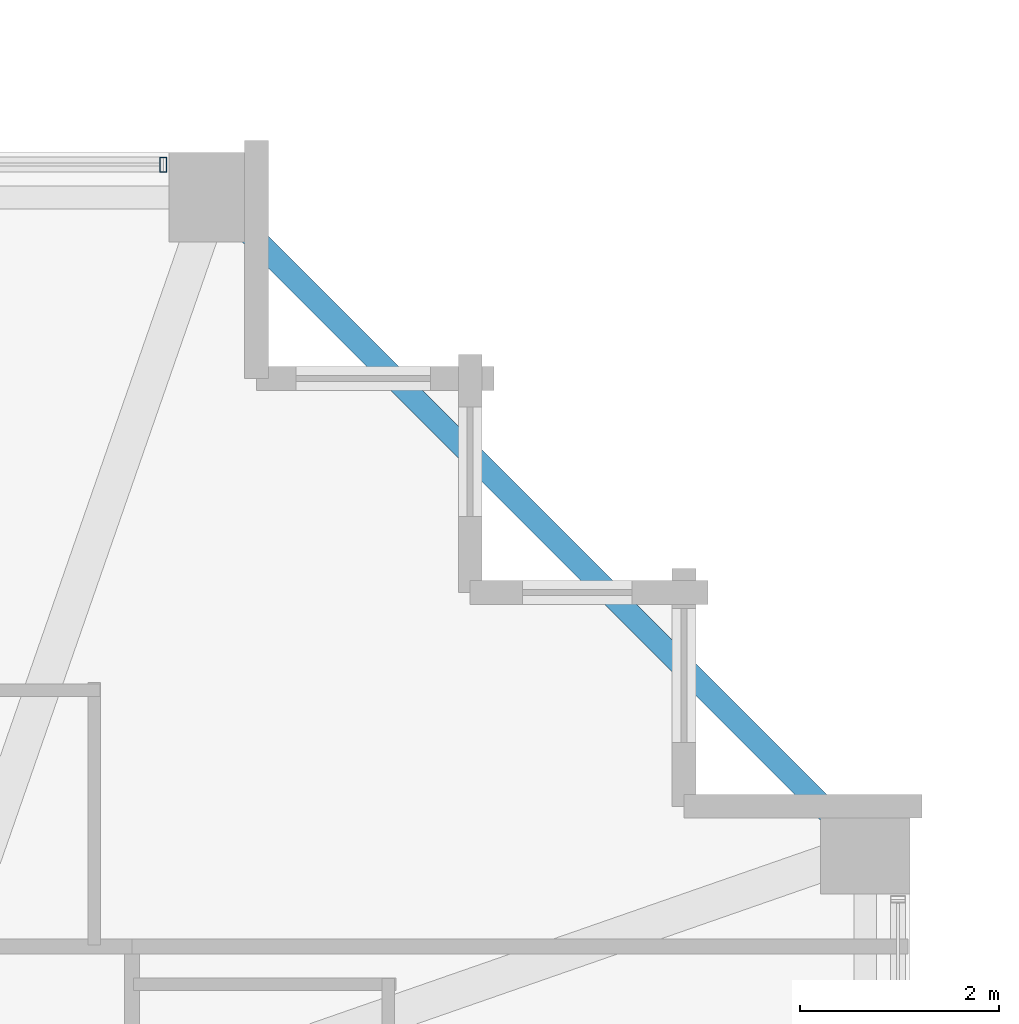
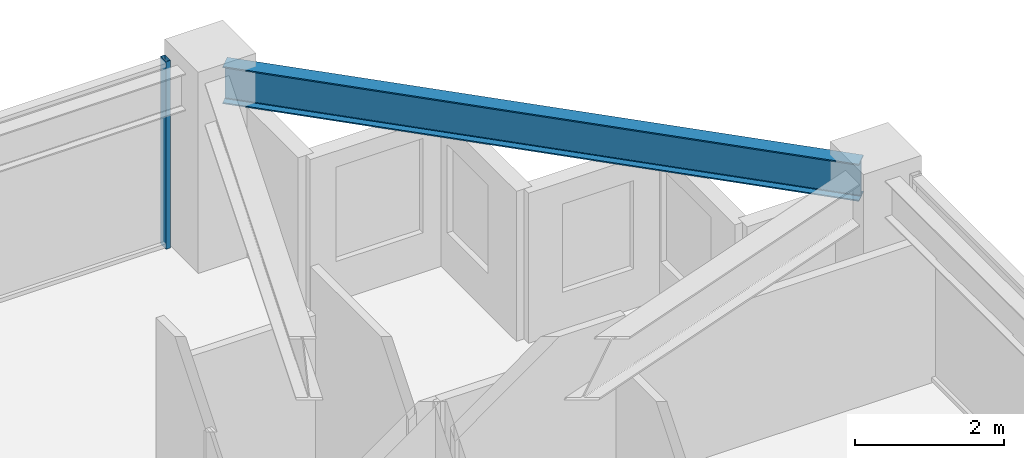
# One storey, part 24 of 37: 1 beam, 1 member, 1 element without a shape of its own.
"""IFC4 building model written with IfcOpenShell, lengths in metres."""

import ifcopenshell
import ifcopenshell.guid

model = None  # the IFC model being written
_history = None  # IfcOwnerHistory: only IFC2X3 demands one
_inside = {}  # id of a spatial element -> (the spatial element, [elements in it])
_under = {}  # id of a project, library or spatial element -> (it, [spatial elements below it])
_declared = {}  # id of a project -> (the project, [libraries it declares])
_typed = {}  # id of a type object -> (the type object, [elements of that type])
_made_of = {}  # id of a material, layer set ... -> (it, [elements and type objects made of it])


def new_model(schema):
    """Start an empty IFC model of exactly this schema.

    Asked for "IFC4X3", IfcOpenShell would pick the latest addendum, in which some entities
    have other attributes; the version numbers below select the first issue.
    IFC2X3 requires an IfcOwnerHistory on every rooted entity: one is made here for all.
    """
    global model, _history
    if schema == "IFC4X3":
        model = ifcopenshell.file(schema_version=(4, 3, 0, 0))
    else:
        model = ifcopenshell.file(schema=schema)
    _inside.clear()
    _under.clear()
    _declared.clear()
    _typed.clear()
    _made_of.clear()
    _history = None
    if model.schema == "IFC2X3":
        org = make("IfcOrganization", Name="unknown")
        user = make(
            "IfcPersonAndOrganization",
            ThePerson=make("IfcPerson", FamilyName="unknown"),
            TheOrganization=org,
        )
        app = make(
            "IfcApplication",
            ApplicationDeveloper=org,
            Version="unknown",
            ApplicationFullName="unknown",
            ApplicationIdentifier="unknown",
        )
        _history = make(
            "IfcOwnerHistory",
            OwningUser=user,
            OwningApplication=app,
            ChangeAction="ADDED",
            CreationDate=0,
        )
    return model


def make(cls, **values):
    """One entity of the class cls with the attributes given. An attribute that is None is left unset."""
    return model.create_entity(
        cls, **{name: value for name, value in values.items() if value is not None}
    )


def rooted(cls, **values):
    """An entity with a GlobalId (a new one), such as an element, a storey or a relation."""
    return make(cls, GlobalId=ifcopenshell.guid.new(), OwnerHistory=_history, **values)


def si_unit(unit_type, name, prefix=None):
    """IfcSIUnit, for example si_unit("LENGTHUNIT", "METRE", prefix="MILLI")."""
    return make("IfcSIUnit", UnitType=unit_type, Prefix=prefix, Name=name)


def assignment(units):
    """IfcUnitAssignment: the units of a project."""
    return None if units is None else make("IfcUnitAssignment", Units=units)


def point(xyz):
    """IfcCartesianPoint."""
    return None if xyz is None else make("IfcCartesianPoint", Coordinates=xyz)


def direction(xyz):
    """IfcDirection."""
    return None if xyz is None else make("IfcDirection", DirectionRatios=xyz)


def frame(location, z_axis=None, x_axis=None):
    """IfcAxis2Placement3D, a coordinate frame: its origin and axes. An axis left out is left unset."""
    return make(
        "IfcAxis2Placement3D",
        Location=point(location),
        Axis=direction(z_axis),
        RefDirection=direction(x_axis),
    )


def frame_2d(location, x_axis=None):
    """IfcAxis2Placement2D, a coordinate frame in the plane: its origin and x axis."""
    return make(
        "IfcAxis2Placement2D", Location=point(location), RefDirection=direction(x_axis)
    )


def origin():
    """The frame at (0, 0, 0) with its axes left unset."""
    return frame((0.0, 0.0, 0.0))


def origin_2d():
    """The frame at (0, 0) in the plane with its x axis left unset."""
    return frame_2d((0.0, 0.0))


def place(relative_to, where):
    """IfcLocalPlacement: puts the frame where relative to a parent placement (None: the world)."""
    return make(
        "IfcLocalPlacement", PlacementRelTo=relative_to, RelativePlacement=where
    )


def context(
    kind, dimensions, precision=None, world=None, true_north=None, identifier=None
):
    """IfcGeometricRepresentationContext, for example the 3D "Model" context."""
    return make(
        "IfcGeometricRepresentationContext",
        ContextIdentifier=identifier,
        ContextType=kind,
        CoordinateSpaceDimension=dimensions,
        Precision=precision,
        WorldCoordinateSystem=world,
        TrueNorth=true_north,
    )


def subcontext(parent, identifier, kind, view, scale=None):
    """IfcGeometricRepresentationSubContext, for example "Body" below "Model"."""
    return make(
        "IfcGeometricRepresentationSubContext",
        ContextIdentifier=identifier,
        ContextType=kind,
        ParentContext=parent,
        TargetScale=scale,
        TargetView=view,
    )


def project(units=None, contexts=None):
    """IfcProject with its units and contexts."""
    return rooted(
        "IfcProject",
        Name="project",
        RepresentationContexts=contexts,
        UnitsInContext=assignment(units),
    )


def spatial(cls, under=None, at=None, **own):
    """A site, building, storey or space (cls), placed at a placement, below another one or the project."""
    s = rooted(cls, ObjectPlacement=at, **own)
    if under is not None:
        _under.setdefault(under.id(), (under, []))[1].append(s)
    return s


def profile(cls, at=None, kind="AREA", **sizes):
    """A parametric profile (cls). Its sizes go by their IFC names, for example OverallWidth=200.0."""
    return make(cls, ProfileType=kind, Position=at, **sizes)


def hollow_rectangle(**sizes):
    """IfcRectangleHollowProfileDef."""
    return profile("IfcRectangleHollowProfileDef", **sizes)


def i_section(**sizes):
    """IfcIShapeProfileDef."""
    return profile("IfcIShapeProfileDef", **sizes)


def extrude(swept, where, along, depth):
    """IfcExtrudedAreaSolid: the profile swept, set in the frame where, extruded along a direction by depth."""
    return make(
        "IfcExtrudedAreaSolid",
        SweptArea=swept,
        Position=where,
        ExtrudedDirection=direction(along),
        Depth=depth,
    )


def shape(context_of_items, identifier, shape_type, items):
    """IfcShapeRepresentation: the items that make up one representation, for example the "Body"."""
    return make(
        "IfcShapeRepresentation",
        ContextOfItems=context_of_items,
        RepresentationIdentifier=identifier,
        RepresentationType=shape_type,
        Items=items,
    )


def material(Name=None, Category=None):
    """IfcMaterial."""
    return make("IfcMaterial", Name=Name, Category=Category)


def material_profile(
    of_material, cross_section, Name=None, Category=None, Priority=None
):
    """IfcMaterialProfile: a cross section and its material."""
    return make(
        "IfcMaterialProfile",
        Name=Name,
        Material=of_material,
        Profile=cross_section,
        Priority=Priority,
        Category=Category,
    )


def profile_set(profiles, Name=None, composite=None):
    """IfcMaterialProfileSet."""
    return make(
        "IfcMaterialProfileSet",
        Name=Name,
        MaterialProfiles=profiles,
        CompositeProfile=composite,
    )


def made_of(thing, what):
    """Note that an element or type object is made of a material, layer set ...; save() writes the relation."""
    if what is not None:
        _made_of.setdefault(what.id(), (what, []))[1].append(thing)
    return thing


def type_object(cls, material=None, **own):
    """A type object (cls), such as IfcWallType, which elements share."""
    return made_of(rooted(cls, **own), material)


def element(
    cls,
    number,
    at=None,
    inside=None,
    cuts=None,
    type_object=None,
    material=None,
    context=None,
    identifier="Body",
    shape_type=None,
    held_by="IfcProductDefinitionShape",
    body=None,
    shapes=None,
    **own,
):
    """One element of the class cls, such as IfcWall. Its Tag is "e" and its number.

    at: its placement. inside: the storey or other place that contains it. cuts: it is an
    opening in that element (IfcRelVoidsElement). A single representation is given by context,
    identifier, shape_type and body (its items); several are given by shapes. held_by: the class
    of the entity that holds the representations. save() writes the other relations.
    """
    e = rooted(cls, Tag="e%d" % number, ObjectPlacement=at, **own)
    if body is not None:
        shapes = [shape(context, identifier, shape_type, body)]
    if shapes is not None:
        e.Representation = make(held_by, Representations=shapes)
    if inside is not None:
        _inside.setdefault(inside.id(), (inside, []))[1].append(e)
    if cuts is not None:
        rooted(
            "IfcRelVoidsElement", RelatingBuildingElement=cuts, RelatedOpeningElement=e
        )
    if type_object is not None:
        _typed.setdefault(type_object.id(), (type_object, []))[1].append(e)
    return made_of(e, material)


def aggregate(whole, parts):
    """IfcRelAggregates: a whole, such as a stair, and the parts it consists of."""
    return rooted("IfcRelAggregates", RelatingObject=whole, RelatedObjects=parts)


def save(model, path):
    """Write the relations noted so far, then the file.

    IfcRelAggregates (storeys below a building ...), IfcRelContainedInSpatialStructure (elements
    in a storey), IfcRelDefinesByType, IfcRelAssociatesMaterial and IfcRelDeclares: one each for
    every whole, place, type object, material and project.
    """
    for whole, parts in _under.values():
        aggregate(whole, parts)
    for where, things in _inside.values():
        rooted(
            "IfcRelContainedInSpatialStructure",
            RelatedElements=things,
            RelatingStructure=where,
        )
    for kind, things in _typed.values():
        rooted("IfcRelDefinesByType", RelatedObjects=things, RelatingType=kind)
    for what, things in _made_of.values():
        rooted("IfcRelAssociatesMaterial", RelatedObjects=things, RelatingMaterial=what)
    for by, libraries in _declared.values():
        rooted("IfcRelDeclares", RelatingContext=by, RelatedDefinitions=libraries)
    model.write(path)


model = new_model("IFC4")

# Units and contexts
model_context = context("Model", 3, precision=1e-05, world=origin(), true_north=direction((0.0, 1.0)))
body_context = subcontext(model_context, "Body", "Model", "MODEL_VIEW")
ifc_project = project(units=[si_unit("LENGTHUNIT", "METRE"), si_unit("AREAUNIT", "SQUARE_METRE"), si_unit("VOLUMEUNIT", "CUBIC_METRE"), si_unit("PLANEANGLEUNIT", "RADIAN"), si_unit("MASSUNIT", "GRAM", prefix="KILO")], contexts=[model_context])

# Site, building, storey
site_placement = place(None, origin())
site = spatial("IfcSite", under=ifc_project, at=site_placement, CompositionType="ELEMENT")
building_placement = place(site_placement, origin())
building = spatial("IfcBuilding", under=site, at=building_placement, Name="Kolvaren Belvedere", CompositionType="ELEMENT")
storey_placement = place(building_placement, frame((0.0, 0.0, 180.0)))
storey = spatial("IfcBuildingStorey", under=building, at=storey_placement, Name="L52", CompositionType="ELEMENT", Elevation=180.0)

# Beam
ifc_material_1 = material(Name="Structural steel ASTM A992 Grade 50", Category="steel")
ifc_material_profile_1 = material_profile(ifc_material_1, i_section(OverallWidth=0.22900390625, OverallDepth=0.612060546875, WebThickness=0.011962890625, FlangeThickness=0.01953125, FilletRadius=0.01806640625, at=origin_2d()), Name="W24X84")
ifc_profile_set_1 = profile_set([ifc_material_profile_1], Name="Structural steel ASTM A992 Grade 50")
beam_type = type_object("IfcBeamType", Name="BM-SPAN-W24X84", PredefinedType="SPANDREL", material=ifc_profile_set_1)
beam_placement = place(storey_placement, frame((19.806884765625, 13.543212890625, 2.77392578125), z_axis=(-0.707106781187, 0.707106781187, 0.0), x_axis=(-0.707106781187, -0.707106781187, 0.0)))
element("IfcBeam", 1, at=beam_placement, inside=storey, type_object=beam_type, Name="L52 Perimeter Spandrel E4-N4", PredefinedType="SPANDREL", context=body_context, shape_type="SweptSolid", body=[
    extrude(i_section(OverallWidth=0.22900390625, OverallDepth=0.612060546875, WebThickness=0.011962890625, FlangeThickness=0.01953125, FilletRadius=0.01806640625, at=origin_2d()), origin(), (0.0, 0.0, 1.0), 8.858154296875),
])

# Curtain wall, member
ifc_material_2 = material(Name="Anodised pale-metal aluminium AA 6063-T6", Category="aluminium")
curtain_wall_type = type_object("IfcCurtainWallType", Name="CW-Z5-HIGH", PredefinedType="NOTDEFINED", material=ifc_material_2)
curtain_wall_placement = place(storey_placement, origin())
curtain_wall = element("IfcCurtainWall", 2, at=curtain_wall_placement, inside=storey, type_object=curtain_wall_type, Name="L52 Unitised Curtain Wall FCW-L52-N2-B2", PredefinedType="NOTDEFINED")
ifc_material_3 = material(Name="Anodised pale-metal aluminium AA 6063-T6", Category="aluminium")
ifc_material_profile_2 = material_profile(ifc_material_3, hollow_rectangle(XDim=0.070068359375, YDim=0.14990234375, WallThickness=0.004150390625, at=origin_2d()), Name="ALU-MUL-150X70")
ifc_profile_set_2 = profile_set([ifc_material_profile_2], Name="Anodised pale-metal aluminium AA 6063-T6")
member_type = type_object("IfcMemberType", Name="CW-MUL-150", PredefinedType="MULLION", material=ifc_profile_set_2)
member_placement = place(storey_placement, frame((12.89501953125, 20.280029296875, 0.0), z_axis=(0.0, 0.0, 1.0), x_axis=(1.0, 0.0, 0.0)))
member = element("IfcMember", 3, at=member_placement, type_object=member_type, Name="FCW-L52-N2-B2 Unitised Mullion 3", PredefinedType="MULLION", context=body_context, shape_type="SweptSolid", body=[
    extrude(hollow_rectangle(XDim=0.070068359375, YDim=0.14990234375, WallThickness=0.004150390625, at=origin_2d()), origin(), (0.0, 0.0, 1.0), 3.080078125),
])
aggregate(curtain_wall, [member])

save(model, "model.ifc")
